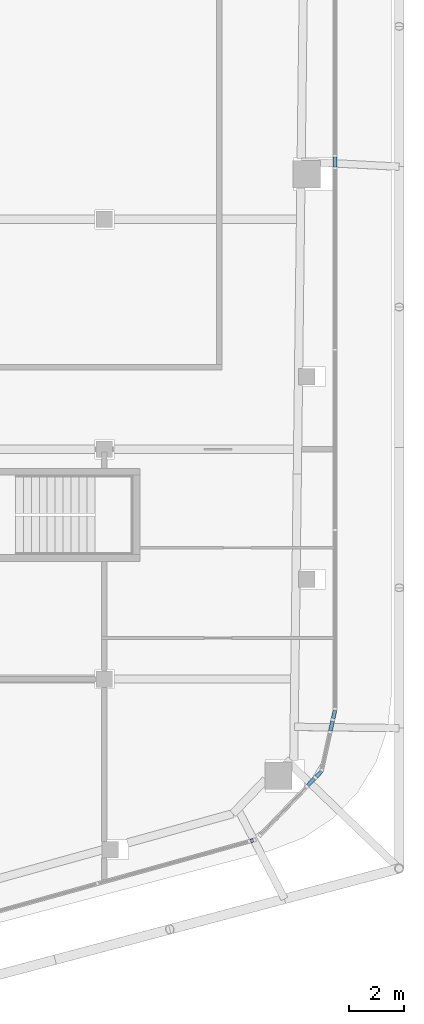
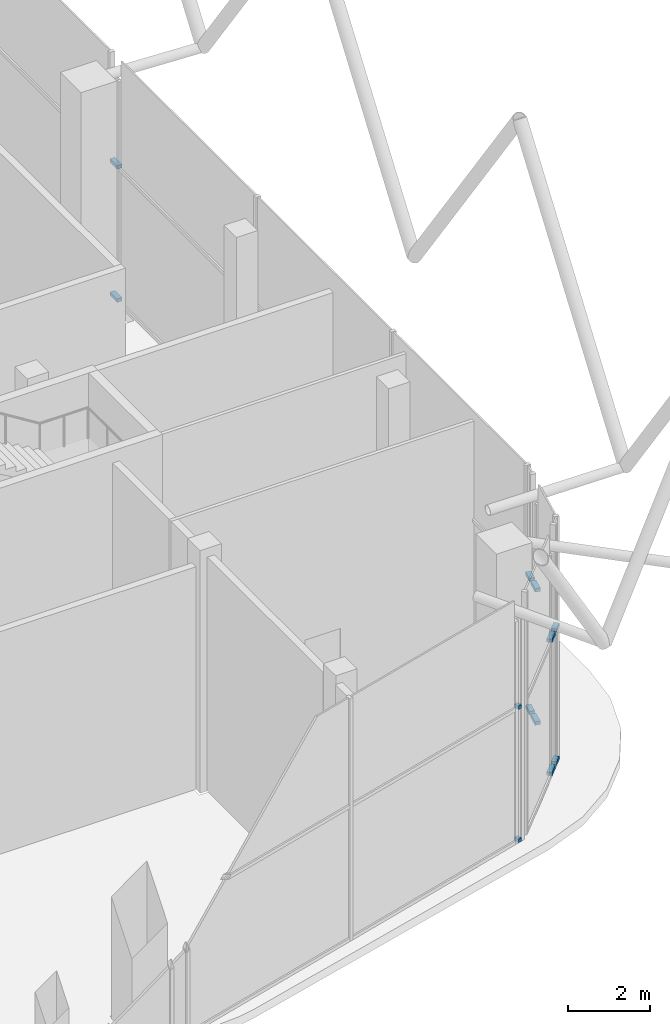
# One storey, part 10 of 25: 12 members, 6 elements without a shape of their own.
"""IFC4 building model written with IfcOpenShell, lengths in metres."""

import ifcopenshell
import ifcopenshell.guid

model = None  # the IFC model being written
_history = None  # IfcOwnerHistory: only IFC2X3 demands one
_inside = {}  # id of a spatial element -> (the spatial element, [elements in it])
_under = {}  # id of a project, library or spatial element -> (it, [spatial elements below it])
_declared = {}  # id of a project -> (the project, [libraries it declares])
_typed = {}  # id of a type object -> (the type object, [elements of that type])
_made_of = {}  # id of a material, layer set ... -> (it, [elements and type objects made of it])


def new_model(schema):
    """Start an empty IFC model of exactly this schema.

    Asked for "IFC4X3", IfcOpenShell would pick the latest addendum, in which some entities
    have other attributes; the version numbers below select the first issue.
    IFC2X3 requires an IfcOwnerHistory on every rooted entity: one is made here for all.
    """
    global model, _history
    if schema == "IFC4X3":
        model = ifcopenshell.file(schema_version=(4, 3, 0, 0))
    else:
        model = ifcopenshell.file(schema=schema)
    _inside.clear()
    _under.clear()
    _declared.clear()
    _typed.clear()
    _made_of.clear()
    _history = None
    if model.schema == "IFC2X3":
        org = make("IfcOrganization", Name="unknown")
        user = make(
            "IfcPersonAndOrganization",
            ThePerson=make("IfcPerson", FamilyName="unknown"),
            TheOrganization=org,
        )
        app = make(
            "IfcApplication",
            ApplicationDeveloper=org,
            Version="unknown",
            ApplicationFullName="unknown",
            ApplicationIdentifier="unknown",
        )
        _history = make(
            "IfcOwnerHistory",
            OwningUser=user,
            OwningApplication=app,
            ChangeAction="ADDED",
            CreationDate=0,
        )
    return model


def make(cls, **values):
    """One entity of the class cls with the attributes given. An attribute that is None is left unset."""
    return model.create_entity(
        cls, **{name: value for name, value in values.items() if value is not None}
    )


def rooted(cls, **values):
    """An entity with a GlobalId (a new one), such as an element, a storey or a relation."""
    return make(cls, GlobalId=ifcopenshell.guid.new(), OwnerHistory=_history, **values)


def si_unit(unit_type, name, prefix=None):
    """IfcSIUnit, for example si_unit("LENGTHUNIT", "METRE", prefix="MILLI")."""
    return make("IfcSIUnit", UnitType=unit_type, Prefix=prefix, Name=name)


def assignment(units):
    """IfcUnitAssignment: the units of a project."""
    return None if units is None else make("IfcUnitAssignment", Units=units)


def point(xyz):
    """IfcCartesianPoint."""
    return None if xyz is None else make("IfcCartesianPoint", Coordinates=xyz)


def direction(xyz):
    """IfcDirection."""
    return None if xyz is None else make("IfcDirection", DirectionRatios=xyz)


def frame(location, z_axis=None, x_axis=None):
    """IfcAxis2Placement3D, a coordinate frame: its origin and axes. An axis left out is left unset."""
    return make(
        "IfcAxis2Placement3D",
        Location=point(location),
        Axis=direction(z_axis),
        RefDirection=direction(x_axis),
    )


def frame_2d(location, x_axis=None):
    """IfcAxis2Placement2D, a coordinate frame in the plane: its origin and x axis."""
    return make(
        "IfcAxis2Placement2D", Location=point(location), RefDirection=direction(x_axis)
    )


def origin():
    """The frame at (0, 0, 0) with its axes left unset."""
    return frame((0.0, 0.0, 0.0))


def origin_2d():
    """The frame at (0, 0) in the plane with its x axis left unset."""
    return frame_2d((0.0, 0.0))


def place(relative_to, where):
    """IfcLocalPlacement: puts the frame where relative to a parent placement (None: the world)."""
    return make(
        "IfcLocalPlacement", PlacementRelTo=relative_to, RelativePlacement=where
    )


def context(
    kind, dimensions, precision=None, world=None, true_north=None, identifier=None
):
    """IfcGeometricRepresentationContext, for example the 3D "Model" context."""
    return make(
        "IfcGeometricRepresentationContext",
        ContextIdentifier=identifier,
        ContextType=kind,
        CoordinateSpaceDimension=dimensions,
        Precision=precision,
        WorldCoordinateSystem=world,
        TrueNorth=true_north,
    )


def subcontext(parent, identifier, kind, view, scale=None):
    """IfcGeometricRepresentationSubContext, for example "Body" below "Model"."""
    return make(
        "IfcGeometricRepresentationSubContext",
        ContextIdentifier=identifier,
        ContextType=kind,
        ParentContext=parent,
        TargetScale=scale,
        TargetView=view,
    )


def project(units=None, contexts=None):
    """IfcProject with its units and contexts."""
    return rooted(
        "IfcProject",
        Name="project",
        RepresentationContexts=contexts,
        UnitsInContext=assignment(units),
    )


def spatial(cls, under=None, at=None, **own):
    """A site, building, storey or space (cls), placed at a placement, below another one or the project."""
    s = rooted(cls, ObjectPlacement=at, **own)
    if under is not None:
        _under.setdefault(under.id(), (under, []))[1].append(s)
    return s


def profile(cls, at=None, kind="AREA", **sizes):
    """A parametric profile (cls). Its sizes go by their IFC names, for example OverallWidth=200.0."""
    return make(cls, ProfileType=kind, Position=at, **sizes)


def rectangle(**sizes):
    """IfcRectangleProfileDef."""
    return profile("IfcRectangleProfileDef", **sizes)


def extrude(swept, where, along, depth):
    """IfcExtrudedAreaSolid: the profile swept, set in the frame where, extruded along a direction by depth."""
    return make(
        "IfcExtrudedAreaSolid",
        SweptArea=swept,
        Position=where,
        ExtrudedDirection=direction(along),
        Depth=depth,
    )


def shape(context_of_items, identifier, shape_type, items):
    """IfcShapeRepresentation: the items that make up one representation, for example the "Body"."""
    return make(
        "IfcShapeRepresentation",
        ContextOfItems=context_of_items,
        RepresentationIdentifier=identifier,
        RepresentationType=shape_type,
        Items=items,
    )


def material(Name=None, Category=None):
    """IfcMaterial."""
    return make("IfcMaterial", Name=Name, Category=Category)


def layer(
    of_material, thickness, ventilated=None, Name=None, Category=None, Priority=None
):
    """IfcMaterialLayer: one layer of a wall or slab, of a material (None: an air gap)."""
    return make(
        "IfcMaterialLayer",
        Material=of_material,
        LayerThickness=thickness,
        IsVentilated=ventilated,
        Name=Name,
        Category=Category,
        Priority=Priority,
    )


def layer_set(layers, Name=None):
    """IfcMaterialLayerSet."""
    return make("IfcMaterialLayerSet", MaterialLayers=layers, LayerSetName=Name)


def material_profile(
    of_material, cross_section, Name=None, Category=None, Priority=None
):
    """IfcMaterialProfile: a cross section and its material."""
    return make(
        "IfcMaterialProfile",
        Name=Name,
        Material=of_material,
        Profile=cross_section,
        Priority=Priority,
        Category=Category,
    )


def profile_set(profiles, Name=None, composite=None):
    """IfcMaterialProfileSet."""
    return make(
        "IfcMaterialProfileSet",
        Name=Name,
        MaterialProfiles=profiles,
        CompositeProfile=composite,
    )


def made_of(thing, what):
    """Note that an element or type object is made of a material, layer set ...; save() writes the relation."""
    if what is not None:
        _made_of.setdefault(what.id(), (what, []))[1].append(thing)
    return thing


def type_object(cls, material=None, **own):
    """A type object (cls), such as IfcWallType, which elements share."""
    return made_of(rooted(cls, **own), material)


def element(
    cls,
    number,
    at=None,
    inside=None,
    cuts=None,
    type_object=None,
    material=None,
    context=None,
    identifier="Body",
    shape_type=None,
    held_by="IfcProductDefinitionShape",
    body=None,
    shapes=None,
    **own,
):
    """One element of the class cls, such as IfcWall. Its Tag is "e" and its number.

    at: its placement. inside: the storey or other place that contains it. cuts: it is an
    opening in that element (IfcRelVoidsElement). A single representation is given by context,
    identifier, shape_type and body (its items); several are given by shapes. held_by: the class
    of the entity that holds the representations. save() writes the other relations.
    """
    e = rooted(cls, Tag="e%d" % number, ObjectPlacement=at, **own)
    if body is not None:
        shapes = [shape(context, identifier, shape_type, body)]
    if shapes is not None:
        e.Representation = make(held_by, Representations=shapes)
    if inside is not None:
        _inside.setdefault(inside.id(), (inside, []))[1].append(e)
    if cuts is not None:
        rooted(
            "IfcRelVoidsElement", RelatingBuildingElement=cuts, RelatedOpeningElement=e
        )
    if type_object is not None:
        _typed.setdefault(type_object.id(), (type_object, []))[1].append(e)
    return made_of(e, material)


def aggregate(whole, parts):
    """IfcRelAggregates: a whole, such as a stair, and the parts it consists of."""
    return rooted("IfcRelAggregates", RelatingObject=whole, RelatedObjects=parts)


def save(model, path):
    """Write the relations noted so far, then the file.

    IfcRelAggregates (storeys below a building ...), IfcRelContainedInSpatialStructure (elements
    in a storey), IfcRelDefinesByType, IfcRelAssociatesMaterial and IfcRelDeclares: one each for
    every whole, place, type object, material and project.
    """
    for whole, parts in _under.values():
        aggregate(whole, parts)
    for where, things in _inside.values():
        rooted(
            "IfcRelContainedInSpatialStructure",
            RelatedElements=things,
            RelatingStructure=where,
        )
    for kind, things in _typed.values():
        rooted("IfcRelDefinesByType", RelatedObjects=things, RelatingType=kind)
    for what, things in _made_of.values():
        rooted("IfcRelAssociatesMaterial", RelatedObjects=things, RelatingMaterial=what)
    for by, libraries in _declared.values():
        rooted("IfcRelDeclares", RelatingContext=by, RelatedDefinitions=libraries)
    model.write(path)


model = new_model("IFC4")

# Units and contexts
model_context = context("Model", 3, precision=1e-05, world=origin(), true_north=direction((0.0, 1.0)))
body_context = subcontext(model_context, "Body", "Model", "MODEL_VIEW")
ifc_project = project(units=[si_unit("LENGTHUNIT", "METRE"), si_unit("AREAUNIT", "SQUARE_METRE"), si_unit("VOLUMEUNIT", "CUBIC_METRE"), si_unit("PLANEANGLEUNIT", "RADIAN"), si_unit("MASSUNIT", "GRAM", prefix="KILO")], contexts=[model_context])

# Site, building, storey
site_placement = place(None, origin())
site = spatial("IfcSite", under=ifc_project, at=site_placement, CompositionType="ELEMENT")
building_placement = place(site_placement, origin())
building = spatial("IfcBuilding", under=site, at=building_placement, Name="Marenta Gate Hotel Tower", CompositionType="ELEMENT")
storey_placement = place(building_placement, frame((0.0, 0.0, 281.300048828125)))
storey = spatial("IfcBuildingStorey", under=building, at=storey_placement, Name="L65", CompositionType="ELEMENT", Elevation=281.300048828125)

# Curtain wall, members
ifc_material_1 = material(Name="Tinted insulated glass in bronze anodised frame", Category="glass")
ifc_layer = layer(ifc_material_1, 0.139892578125)
ifc_layer_set = layer_set([ifc_layer], Name="Tinted insulated glass in bronze anodised frame")
curtain_wall_type = type_object("IfcCurtainWallType", Name="Observation deck structural glazing CW3", PredefinedType="NOTDEFINED", material=ifc_layer_set)
curtain_wall_1_placement = place(storey_placement, origin())
curtain_wall_1 = element("IfcCurtainWall", 1, at=curtain_wall_1_placement, inside=storey, type_object=curtain_wall_type, Name="CW3 run G26", PredefinedType="NOTDEFINED")
ifc_material_2 = material(Name="Bronze anodised aluminium", Category="aluminium")
ifc_material_profile = material_profile(ifc_material_2, rectangle(XDim=0.139892578125, YDim=0.10009765625, at=origin_2d()), Name="Transom CW3 100x140 bronze anodised aluminium")
ifc_profile_set = profile_set([ifc_material_profile], Name="Bronze anodised aluminium")
member_type = type_object("IfcMemberType", Name="Transom CW3 100x140 bronze anodised aluminium", PredefinedType="USERDEFINED", material=ifc_profile_set)
member_1_placement = place(storey_placement, frame((17.937255859375, -31.11865234375, 0.050048828125), z_axis=(0.9631282063, 0.26904285575, 0.0), x_axis=(-0.26904285575, 0.9631282063, 0.0)))
member_1 = element("IfcMember", 2, at=member_1_placement, type_object=member_type, Name="CW3 transom 1.1", ObjectType="TRANSOM", PredefinedType="USERDEFINED", context=body_context, shape_type="SweptSolid", body=[
    extrude(rectangle(XDim=0.139892578125, YDim=0.10009765625, at=origin_2d()), origin(), (0.0, 0.0, 1.0), 0.10791015625),
])
member_2_placement = place(storey_placement, frame((17.937255859375, -31.11865234375, 4.0), z_axis=(0.9631282063, 0.26904285575, 0.0), x_axis=(-0.26904285575, 0.9631282063, 0.0)))
member_2 = element("IfcMember", 3, at=member_2_placement, type_object=member_type, Name="CW3 transom 1.2", ObjectType="TRANSOM", PredefinedType="USERDEFINED", context=body_context, shape_type="SweptSolid", body=[
    extrude(rectangle(XDim=0.139892578125, YDim=0.10009765625, at=origin_2d()), origin(), (0.0, 0.0, 1.0), 0.10791015625),
])
aggregate(curtain_wall_1, [member_1, member_2])

curtain_wall_2_placement = place(storey_placement, origin())
curtain_wall_2 = element("IfcCurtainWall", 4, at=curtain_wall_2_placement, inside=storey, type_object=curtain_wall_type, Name="CW3 run G28", PredefinedType="NOTDEFINED")
member_3_placement = place(storey_placement, frame((20.02978515625, -29.091796875, 0.050048828125), z_axis=(0.69279084566, 0.721138574873, 0.0), x_axis=(-0.721138574873, 0.69279084566, 0.0)))
member_3 = element("IfcMember", 5, at=member_3_placement, type_object=member_type, Name="CW3 transom 1.1", ObjectType="TRANSOM", PredefinedType="USERDEFINED", context=body_context, shape_type="SweptSolid", body=[
    extrude(rectangle(XDim=0.139892578125, YDim=0.10009765625, at=origin_2d()), origin(), (0.0, 0.0, 1.0), 0.35302734375),
])
member_4_placement = place(storey_placement, frame((20.02978515625, -29.091796875, 4.0), z_axis=(0.69279084566, 0.721138574873, 0.0), x_axis=(-0.721138574873, 0.69279084566, 0.0)))
member_4 = element("IfcMember", 6, at=member_4_placement, type_object=member_type, Name="CW3 transom 1.2", ObjectType="TRANSOM", PredefinedType="USERDEFINED", context=body_context, shape_type="SweptSolid", body=[
    extrude(rectangle(XDim=0.139892578125, YDim=0.10009765625, at=origin_2d()), origin(), (0.0, 0.0, 1.0), 0.35302734375),
])
aggregate(curtain_wall_2, [member_3, member_4])

curtain_wall_3_placement = place(storey_placement, origin())
curtain_wall_3 = element("IfcCurtainWall", 7, at=curtain_wall_3_placement, inside=storey, type_object=curtain_wall_type, Name="CW3 run G29", PredefinedType="NOTDEFINED")
member_5_placement = place(storey_placement, frame((20.343505859375, -28.764892578125, 0.050048828125), z_axis=(0.692872447577, 0.721060171822, 0.0), x_axis=(-0.721060171822, 0.692872447577, 0.0)))
member_5 = element("IfcMember", 8, at=member_5_placement, type_object=member_type, Name="CW3 transom 1.1", ObjectType="TRANSOM", PredefinedType="USERDEFINED", context=body_context, shape_type="SweptSolid", body=[
    extrude(rectangle(XDim=0.139892578125, YDim=0.10009765625, at=origin_2d()), origin(), (0.0, 0.0, 1.0), 0.2685546875),
])
member_6_placement = place(storey_placement, frame((20.343505859375, -28.764892578125, 4.0), z_axis=(0.692872447577, 0.721060171822, 0.0), x_axis=(-0.721060171822, 0.692872447577, 0.0)))
member_6 = element("IfcMember", 9, at=member_6_placement, type_object=member_type, Name="CW3 transom 1.2", ObjectType="TRANSOM", PredefinedType="USERDEFINED", context=body_context, shape_type="SweptSolid", body=[
    extrude(rectangle(XDim=0.139892578125, YDim=0.10009765625, at=origin_2d()), origin(), (0.0, 0.0, 1.0), 0.2685546875),
])
aggregate(curtain_wall_3, [member_5, member_6])

curtain_wall_4_placement = place(storey_placement, origin())
curtain_wall_4 = element("IfcCurtainWall", 10, at=curtain_wall_4_placement, inside=storey, type_object=curtain_wall_type, Name="CW3 run G31", PredefinedType="NOTDEFINED")
member_7_placement = place(storey_placement, frame((20.858154296875, -27.091552734375, 0.050048828125), z_axis=(0.217286586029, 0.976107852408, 0.0), x_axis=(-0.976107852408, 0.217286586029, 0.0)))
member_7 = element("IfcMember", 11, at=member_7_placement, type_object=member_type, Name="CW3 transom 1.1", ObjectType="TRANSOM", PredefinedType="USERDEFINED", context=body_context, shape_type="SweptSolid", body=[
    extrude(rectangle(XDim=0.139892578125, YDim=0.10009765625, at=origin_2d()), origin(), (0.0, 0.0, 1.0), 0.363037109375),
])
member_8_placement = place(storey_placement, frame((20.858154296875, -27.091552734375, 4.0), z_axis=(0.217286586029, 0.976107852408, 0.0), x_axis=(-0.976107852408, 0.217286586029, 0.0)))
member_8 = element("IfcMember", 12, at=member_8_placement, type_object=member_type, Name="CW3 transom 1.2", ObjectType="TRANSOM", PredefinedType="USERDEFINED", context=body_context, shape_type="SweptSolid", body=[
    extrude(rectangle(XDim=0.139892578125, YDim=0.10009765625, at=origin_2d()), origin(), (0.0, 0.0, 1.0), 0.363037109375),
])
aggregate(curtain_wall_4, [member_7, member_8])

curtain_wall_5_placement = place(storey_placement, origin())
curtain_wall_5 = element("IfcCurtainWall", 13, at=curtain_wall_5_placement, inside=storey, type_object=curtain_wall_type, Name="CW3 run G32", PredefinedType="NOTDEFINED")
member_9_placement = place(storey_placement, frame((20.95849609375, -26.6396484375, 0.050048828125), z_axis=(0.21675917857, 0.976225106472, 0.0), x_axis=(-0.976225106472, 0.21675917857, 0.0)))
member_9 = element("IfcMember", 14, at=member_9_placement, type_object=member_type, Name="CW3 transom 1.1", ObjectType="TRANSOM", PredefinedType="USERDEFINED", context=body_context, shape_type="SweptSolid", body=[
    extrude(rectangle(XDim=0.139892578125, YDim=0.10009765625, at=origin_2d()), origin(), (0.0, 0.0, 1.0), 0.3017578125),
])
member_10_placement = place(storey_placement, frame((20.95849609375, -26.6396484375, 4.0), z_axis=(0.21675917857, 0.976225106472, 0.0), x_axis=(-0.976225106472, 0.21675917857, 0.0)))
member_10 = element("IfcMember", 15, at=member_10_placement, type_object=member_type, Name="CW3 transom 1.2", ObjectType="TRANSOM", PredefinedType="USERDEFINED", context=body_context, shape_type="SweptSolid", body=[
    extrude(rectangle(XDim=0.139892578125, YDim=0.10009765625, at=origin_2d()), origin(), (0.0, 0.0, 1.0), 0.3017578125),
])
aggregate(curtain_wall_5, [member_9, member_10])

curtain_wall_6_placement = place(storey_placement, origin())
curtain_wall_6 = element("IfcCurtainWall", 16, at=curtain_wall_6_placement, inside=storey, type_object=curtain_wall_type, Name="CW3 run G34", PredefinedType="NOTDEFINED")
member_11_placement = place(storey_placement, frame((21.02392578125, -6.481201171875, 0.050048828125), z_axis=(0.0, 1.0, 0.0), x_axis=(-1.0, 0.0, 0.0)))
member_11 = element("IfcMember", 17, at=member_11_placement, type_object=member_type, Name="CW3 transom 1.1", ObjectType="TRANSOM", PredefinedType="USERDEFINED", context=body_context, shape_type="SweptSolid", body=[
    extrude(rectangle(XDim=0.139892578125, YDim=0.10009765625, at=origin_2d()), origin(), (0.0, 0.0, 1.0), 0.353759765625),
])
member_12_placement = place(storey_placement, frame((21.02392578125, -6.481201171875, 4.0), z_axis=(0.0, 1.0, 0.0), x_axis=(-1.0, 0.0, 0.0)))
member_12 = element("IfcMember", 18, at=member_12_placement, type_object=member_type, Name="CW3 transom 1.2", ObjectType="TRANSOM", PredefinedType="USERDEFINED", context=body_context, shape_type="SweptSolid", body=[
    extrude(rectangle(XDim=0.139892578125, YDim=0.10009765625, at=origin_2d()), origin(), (0.0, 0.0, 1.0), 0.353759765625),
])
aggregate(curtain_wall_6, [member_11, member_12])

save(model, "model.ifc")
